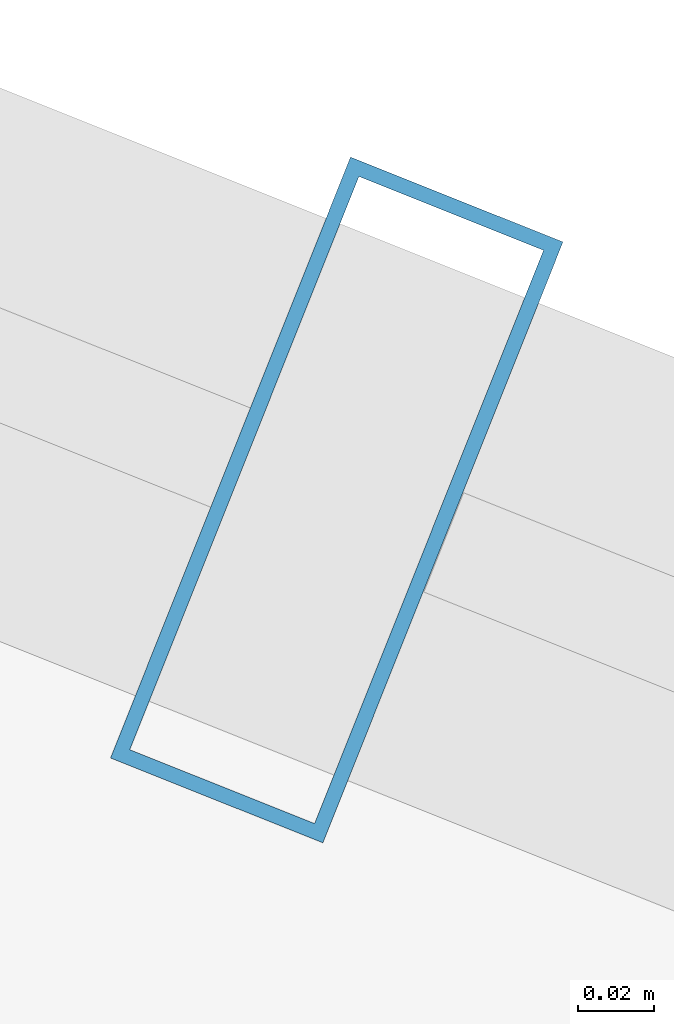
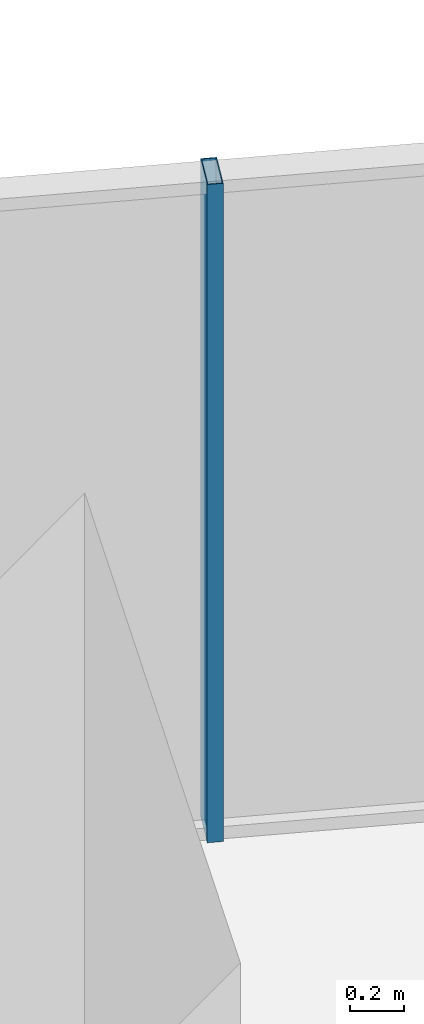
# One storey, part 24 of 34: 1 member, 1 element without a shape of its own.
"""IFC4 building model written with IfcOpenShell, lengths in metres."""

from ifc_helpers import new_model, si_unit, direction, frame, origin, origin_2d, place, context, subcontext, project, spatial, hollow_rectangle, extrude, source, transform, mapped, material, layer, layer_set, material_profile, profile_set, type_object, element, aggregate, save


model = new_model("IFC4")

# Units and contexts
model_context = context("Model", 3, precision=1e-05, world=origin(), true_north=direction((0.0, 1.0)))
body_context = subcontext(model_context, "Body", "Model", "MODEL_VIEW")
ifc_project = project(units=[si_unit("LENGTHUNIT", "METRE"), si_unit("AREAUNIT", "SQUARE_METRE"), si_unit("VOLUMEUNIT", "CUBIC_METRE"), si_unit("PLANEANGLEUNIT", "RADIAN"), si_unit("MASSUNIT", "GRAM", prefix="KILO")], contexts=[model_context])

# Site, building, storey
site_placement = place(None, origin())
site = spatial("IfcSite", under=ifc_project, at=site_placement, CompositionType="ELEMENT")
building_placement = place(site_placement, origin())
building = spatial("IfcBuilding", under=site, at=building_placement, Name="Veraguas Prism Commons", CompositionType="ELEMENT")
storey_placement = place(building_placement, frame((0.0, 0.0, 155.5)))
storey = spatial("IfcBuildingStorey", under=building, at=storey_placement, Name="L44", CompositionType="ELEMENT", Elevation=155.5)

# Curtain wall, member
ifc_material = material(Name="Anodised aluminium EN AW-6063 T6", Category="aluminium")
ifc_layer = layer(ifc_material, 0.169921875, Name="Unitised Flush Curtain Wall Zone 2", Category="aluminium")
ifc_layer_set = layer_set([ifc_layer], Name="Anodised aluminium EN AW-6063 T6")
curtain_wall_type = type_object("IfcCurtainWallType", Name="Unitised Flush Curtain Wall Zone 2", PredefinedType="NOTDEFINED", material=ifc_layer_set)
curtain_wall_placement = place(storey_placement, origin())
curtain_wall = element("IfcCurtainWall", 1, at=curtain_wall_placement, inside=storey, type_object=curtain_wall_type, Name="Tower Facade Curtain Wall L44-F1", PredefinedType="NOTDEFINED")
ifc_material_profile = material_profile(ifc_material, hollow_rectangle(XDim=0.06005859375, YDim=0.169921875, WallThickness=0.00390625, at=origin_2d()), Name="AL60X170X4")
ifc_profile_set = profile_set([ifc_material_profile], Name="Anodised aluminium EN AW-6063 T6")
member_type = type_object("IfcMemberType", Name="Curtain Wall Mullion Lower AL 60x170x4", PredefinedType="MULLION", material=ifc_profile_set)
shared_shape = source(origin(), body_context, "Body", "SweptSolid", [
    extrude(hollow_rectangle(XDim=0.06005859375, YDim=0.169921875, WallThickness=0.00390625, at=origin_2d()), origin(), (0.0, 0.0, 1.0), 2.969970703125),
])
member_placement = place(storey_placement, frame((31.117431640625, 41.81298828125, 0.0), z_axis=(0.0, 0.0, 1.0), x_axis=(-0.928617344909, 0.371038848013, 0.0)))
member = element("IfcMember", 2, at=member_placement, type_object=member_type, Name="CW-Z2 Mullion 3", PredefinedType="MULLION", context=body_context, shape_type="MappedRepresentation", body=[
    mapped(shared_shape, transform((0.0, 0.0, 0.0), scale=1.0)),
])
aggregate(curtain_wall, [member])

save(model, "model.ifc")
